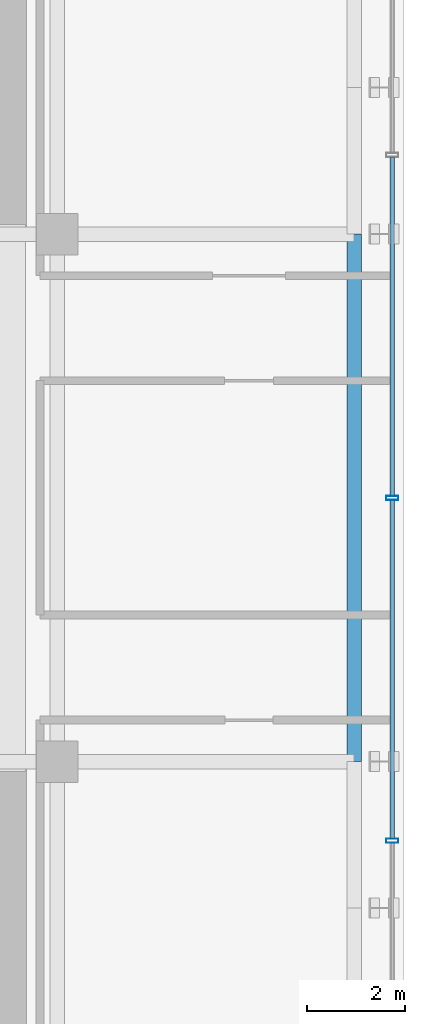
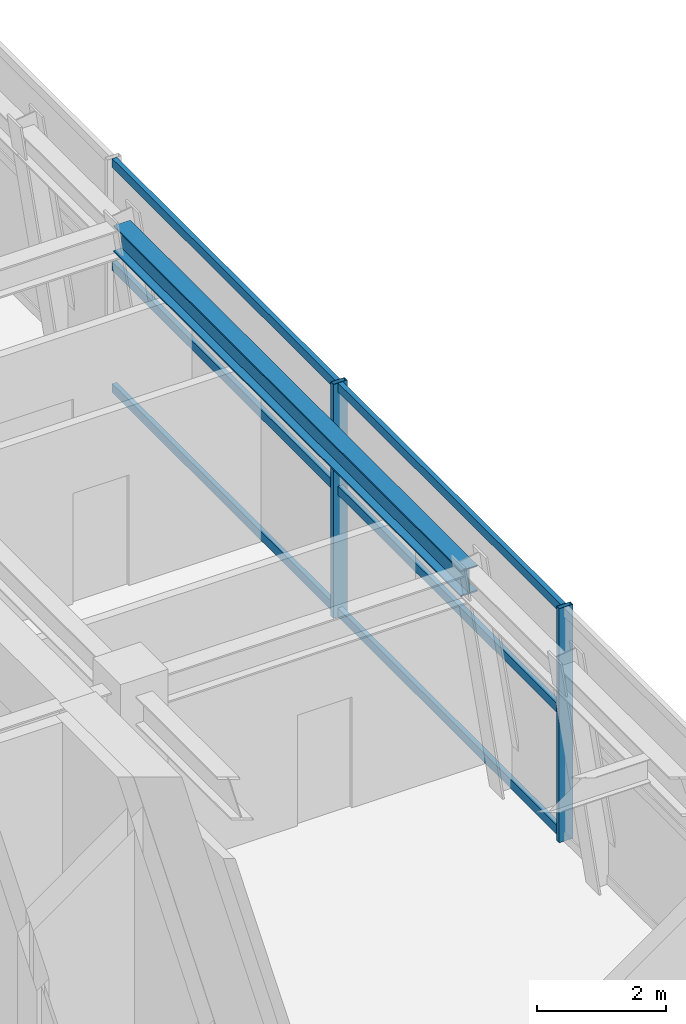
# One storey, part 11 of 26: 8 members, 1 beam, 1 element without a shape of its own.
"""IFC4 building model written with IfcOpenShell, lengths in metres."""

from ifc_helpers import new_model, si_unit, direction, frame, origin, origin_2d, place, context, subcontext, project, spatial, hollow_rectangle, i_section, extrude, source, transform, mapped, material, material_profile, profile_set, type_object, element, aggregate, save


model = new_model("IFC4")

# Units and contexts
model_context = context("Model", 3, precision=1e-05, world=origin(), true_north=direction((0.0, 1.0)))
body_context = subcontext(model_context, "Body", "Model", "MODEL_VIEW")
ifc_project = project(units=[si_unit("LENGTHUNIT", "METRE"), si_unit("AREAUNIT", "SQUARE_METRE"), si_unit("VOLUMEUNIT", "CUBIC_METRE"), si_unit("PLANEANGLEUNIT", "RADIAN"), si_unit("MASSUNIT", "GRAM", prefix="KILO")], contexts=[model_context])

# Site, building, storey
site_placement = place(None, origin())
site = spatial("IfcSite", under=ifc_project, at=site_placement, CompositionType="ELEMENT")
building_placement = place(site_placement, origin())
building = spatial("IfcBuilding", under=site, at=building_placement, Name="Nahalor Promenade Grand Hotel", CompositionType="ELEMENT")
storey_placement = place(building_placement, frame((0.0, 0.0, 139.39990234375)))
storey = spatial("IfcBuildingStorey", under=building, at=storey_placement, Name="L35", CompositionType="ELEMENT", Elevation=139.39990234375)

# Beam
ifc_material_1 = material(Name="Steel S355JR", Category="steel")
ifc_material_profile_1 = material_profile(ifc_material_1, i_section(OverallWidth=0.3, OverallDepth=0.5, WebThickness=0.0145, FlangeThickness=0.028, at=origin_2d()), Name="HEB 500")
ifc_profile_set_1 = profile_set([ifc_material_profile_1], Name="Steel S355JR")
beam_type = type_object("IfcBeamType", Name="Beam-Spandrel-HEB500", PredefinedType="SPANDREL", material=ifc_profile_set_1)
shared_shape_1 = source(origin(), body_context, "Body", "SweptSolid", [
    extrude(i_section(OverallWidth=0.3, OverallDepth=0.5, WebThickness=0.0145, FlangeThickness=0.028, at=origin_2d()), origin(), (0.0, 0.0, 1.0), 10.7998046875),
])
beam_placement = place(storey_placement, frame((23.080078125, -5.39990234375, 4.190185546875), z_axis=(0.0, 1.0, 0.0), x_axis=(-1.0, 0.0, 0.0)))
element("IfcBeam", 1, at=beam_placement, inside=storey, type_object=beam_type, Name="BM-L35-SP-E-2", PredefinedType="SPANDREL", context=body_context, shape_type="MappedRepresentation", body=[
    mapped(shared_shape_1, transform((0.0, 0.0, 0.0), scale=1.0)),
])

# Curtain wall, members
ifc_material_2 = material(Name="Anodised Bronze Aluminium EN AW-6063 T6", Category="aluminium")
curtain_wall_type = type_object("IfcCurtainWallType", Name="CW5 Sky-Lobby & Observation Panoramic Curtain Wall", PredefinedType="USERDEFINED", material=ifc_material_2)
curtain_wall_placement = place(storey_placement, origin())
curtain_wall = element("IfcCurtainWall", 2, at=curtain_wall_placement, inside=storey, type_object=curtain_wall_type, Name="L35 Curtain Wall CW-L35-E-1", ObjectType="UNITISED_CURTAIN_WALL", PredefinedType="USERDEFINED")
ifc_material_profile_2 = material_profile(ifc_material_2, hollow_rectangle(XDim=0.085, YDim=0.25, WallThickness=0.006, at=origin_2d()), Name="CWM 85x250x6")
ifc_profile_set_2 = profile_set([ifc_material_profile_2], Name="Anodised Bronze Aluminium EN AW-6063 T6")
member_type_1 = type_object("IfcMemberType", Name="CWM5 Panoramic Deep Mullion 85x250", PredefinedType="MULLION", material=ifc_profile_set_2)
shared_shape_2 = source(origin(), body_context, "Body", "SweptSolid", [
    extrude(hollow_rectangle(XDim=0.085, YDim=0.25, WallThickness=0.006, at=origin_2d()), origin(), (0.0, 0.0, 1.0), 4.440185546875),
])
member_1_placement = place(storey_placement, frame((23.860107421875, -7.02001953125, 0.0), z_axis=(0.0, 0.0, 1.0), x_axis=(0.0, 1.0, 0.0)))
member_1 = element("IfcMember", 3, at=member_1_placement, type_object=member_type_1, Name="CW-L35-E-1 Mullion 2", PredefinedType="MULLION", context=body_context, shape_type="MappedRepresentation", body=[
    mapped(shared_shape_2, transform((0.0, 0.0, 0.0), scale=1.0)),
])
member_2_placement = place(storey_placement, frame((23.860107421875, 0.0, 0.0), z_axis=(0.0, 0.0, 1.0), x_axis=(0.0, 1.0, 0.0)))
member_2 = element("IfcMember", 4, at=member_2_placement, type_object=member_type_1, Name="CW-L35-E-1 Mullion 3", PredefinedType="MULLION", context=body_context, shape_type="MappedRepresentation", body=[
    mapped(shared_shape_2, transform((0.0, 0.0, 0.0), scale=1.0)),
])
ifc_material_profile_3 = material_profile(ifc_material_2, hollow_rectangle(XDim=0.085, YDim=0.17, WallThickness=0.005, at=origin_2d()), Name="CWT 85x170x5")
ifc_profile_set_3 = profile_set([ifc_material_profile_3], Name="Anodised Bronze Aluminium EN AW-6063 T6")
member_type_2 = type_object("IfcMemberType", Name="CWT5 Panoramic Transom 85x170", PredefinedType="USERDEFINED", material=ifc_profile_set_3)
shared_shape_3 = source(origin(), body_context, "Body", "SweptSolid", [
    extrude(hollow_rectangle(XDim=0.085, YDim=0.17, WallThickness=0.005, at=origin_2d()), origin(), (0.0, 0.0, 1.0), 6.93505859375),
])
member_3_placement = place(storey_placement, frame((23.860107421875, -6.9775390625, 0.085205078125), z_axis=(0.0, 1.0, 0.0), x_axis=(-1.0, 0.0, 0.0)))
member_3 = element("IfcMember", 5, at=member_3_placement, type_object=member_type_2, Name="CW-L35-E-1 Transom 2-0", ObjectType="TRANSOM", PredefinedType="USERDEFINED", context=body_context, shape_type="MappedRepresentation", body=[
    mapped(shared_shape_3, transform((0.0, 0.0, 0.0), scale=1.0)),
])
member_4_placement = place(storey_placement, frame((23.860107421875, -6.9775390625, 2.400146484375), z_axis=(0.0, 1.0, 0.0), x_axis=(-1.0, 0.0, 0.0)))
member_4 = element("IfcMember", 6, at=member_4_placement, type_object=member_type_2, Name="CW-L35-E-1 Transom 2-1", ObjectType="TRANSOM", PredefinedType="USERDEFINED", context=body_context, shape_type="MappedRepresentation", body=[
    mapped(shared_shape_3, transform((0.0, 0.0, 0.0), scale=1.0)),
])
member_5_placement = place(storey_placement, frame((23.860107421875, -6.9775390625, 4.35498046875), z_axis=(0.0, 1.0, 0.0), x_axis=(-1.0, 0.0, 0.0)))
member_5 = element("IfcMember", 7, at=member_5_placement, type_object=member_type_2, Name="CW-L35-E-1 Transom 2-2", ObjectType="TRANSOM", PredefinedType="USERDEFINED", context=body_context, shape_type="MappedRepresentation", body=[
    mapped(shared_shape_3, transform((0.0, 0.0, 0.0), scale=1.0)),
])
member_6_placement = place(storey_placement, frame((23.860107421875, 0.04248046875, 0.085205078125), z_axis=(0.0, 1.0, 0.0), x_axis=(-1.0, 0.0, 0.0)))
member_6 = element("IfcMember", 8, at=member_6_placement, type_object=member_type_2, Name="CW-L35-E-1 Transom 3-0", ObjectType="TRANSOM", PredefinedType="USERDEFINED", context=body_context, shape_type="MappedRepresentation", body=[
    mapped(shared_shape_3, transform((0.0, 0.0, 0.0), scale=1.0)),
])
member_7_placement = place(storey_placement, frame((23.860107421875, 0.04248046875, 2.400146484375), z_axis=(0.0, 1.0, 0.0), x_axis=(-1.0, 0.0, 0.0)))
member_7 = element("IfcMember", 9, at=member_7_placement, type_object=member_type_2, Name="CW-L35-E-1 Transom 3-1", ObjectType="TRANSOM", PredefinedType="USERDEFINED", context=body_context, shape_type="MappedRepresentation", body=[
    mapped(shared_shape_3, transform((0.0, 0.0, 0.0), scale=1.0)),
])
member_8_placement = place(storey_placement, frame((23.860107421875, 0.04248046875, 4.35498046875), z_axis=(0.0, 1.0, 0.0), x_axis=(-1.0, 0.0, 0.0)))
member_8 = element("IfcMember", 10, at=member_8_placement, type_object=member_type_2, Name="CW-L35-E-1 Transom 3-2", ObjectType="TRANSOM", PredefinedType="USERDEFINED", context=body_context, shape_type="MappedRepresentation", body=[
    mapped(shared_shape_3, transform((0.0, 0.0, 0.0), scale=1.0)),
])
aggregate(curtain_wall, [member_1, member_2, member_3, member_4, member_5, member_6, member_7, member_8])

save(model, "model.ifc")
